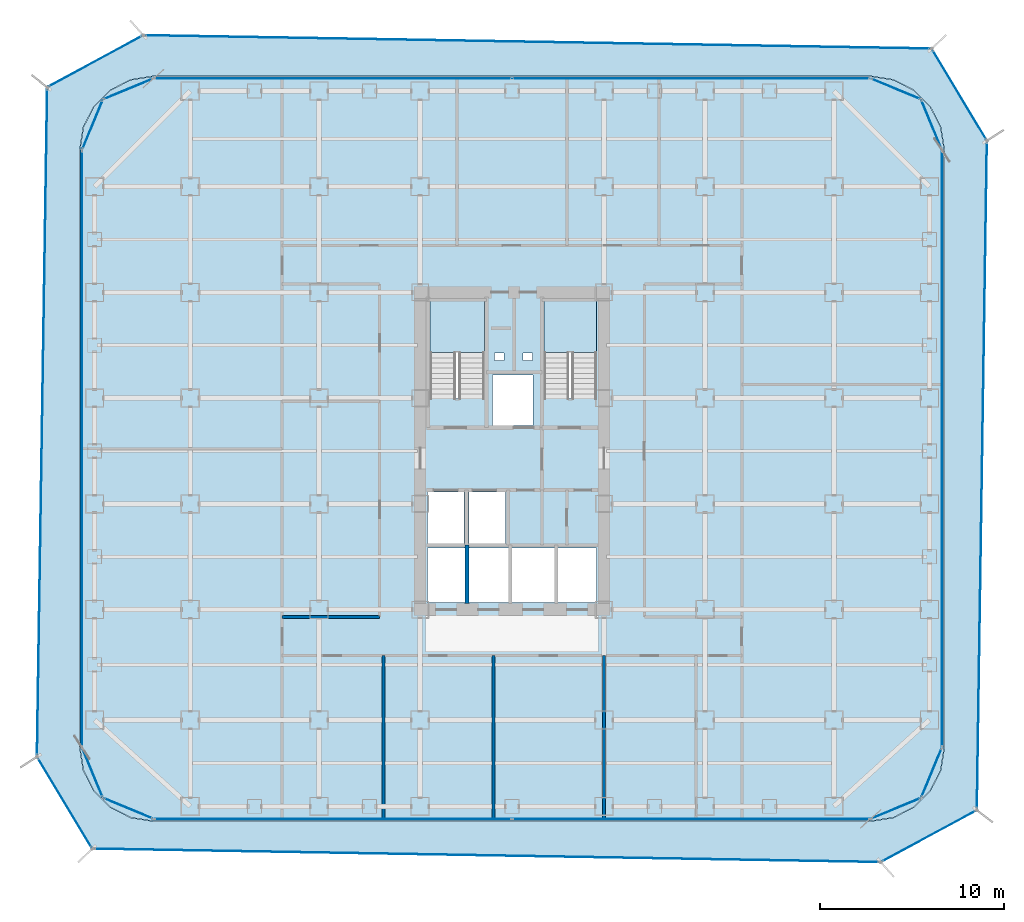
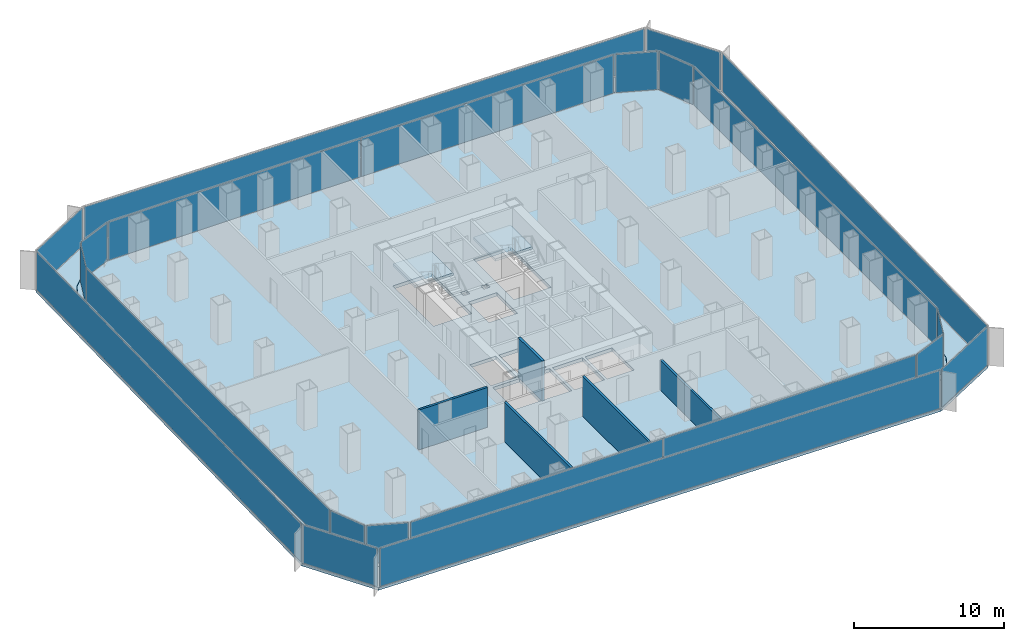
# One storey, part 16 of 22: 22 plates, 5 walls, 4 slabs, 22 elements without a shape of their own.
"""IFC4 building model written with IfcOpenShell, lengths in metres."""

import ifcopenshell
import ifcopenshell.guid

model = None  # the IFC model being written
_history = None  # IfcOwnerHistory: only IFC2X3 demands one
_inside = {}  # id of a spatial element -> (the spatial element, [elements in it])
_under = {}  # id of a project, library or spatial element -> (it, [spatial elements below it])
_declared = {}  # id of a project -> (the project, [libraries it declares])
_typed = {}  # id of a type object -> (the type object, [elements of that type])
_made_of = {}  # id of a material, layer set ... -> (it, [elements and type objects made of it])


def new_model(schema):
    """Start an empty IFC model of exactly this schema.

    Asked for "IFC4X3", IfcOpenShell would pick the latest addendum, in which some entities
    have other attributes; the version numbers below select the first issue.
    IFC2X3 requires an IfcOwnerHistory on every rooted entity: one is made here for all.
    """
    global model, _history
    if schema == "IFC4X3":
        model = ifcopenshell.file(schema_version=(4, 3, 0, 0))
    else:
        model = ifcopenshell.file(schema=schema)
    _inside.clear()
    _under.clear()
    _declared.clear()
    _typed.clear()
    _made_of.clear()
    _history = None
    if model.schema == "IFC2X3":
        org = make("IfcOrganization", Name="unknown")
        user = make(
            "IfcPersonAndOrganization",
            ThePerson=make("IfcPerson", FamilyName="unknown"),
            TheOrganization=org,
        )
        app = make(
            "IfcApplication",
            ApplicationDeveloper=org,
            Version="unknown",
            ApplicationFullName="unknown",
            ApplicationIdentifier="unknown",
        )
        _history = make(
            "IfcOwnerHistory",
            OwningUser=user,
            OwningApplication=app,
            ChangeAction="ADDED",
            CreationDate=0,
        )
    return model


def make(cls, **values):
    """One entity of the class cls with the attributes given. An attribute that is None is left unset."""
    return model.create_entity(
        cls, **{name: value for name, value in values.items() if value is not None}
    )


def rooted(cls, **values):
    """An entity with a GlobalId (a new one), such as an element, a storey or a relation."""
    return make(cls, GlobalId=ifcopenshell.guid.new(), OwnerHistory=_history, **values)


def si_unit(unit_type, name, prefix=None):
    """IfcSIUnit, for example si_unit("LENGTHUNIT", "METRE", prefix="MILLI")."""
    return make("IfcSIUnit", UnitType=unit_type, Prefix=prefix, Name=name)


def assignment(units):
    """IfcUnitAssignment: the units of a project."""
    return None if units is None else make("IfcUnitAssignment", Units=units)


def point(xyz):
    """IfcCartesianPoint."""
    return None if xyz is None else make("IfcCartesianPoint", Coordinates=xyz)


def direction(xyz):
    """IfcDirection."""
    return None if xyz is None else make("IfcDirection", DirectionRatios=xyz)


def frame(location, z_axis=None, x_axis=None):
    """IfcAxis2Placement3D, a coordinate frame: its origin and axes. An axis left out is left unset."""
    return make(
        "IfcAxis2Placement3D",
        Location=point(location),
        Axis=direction(z_axis),
        RefDirection=direction(x_axis),
    )


def frame_2d(location, x_axis=None):
    """IfcAxis2Placement2D, a coordinate frame in the plane: its origin and x axis."""
    return make(
        "IfcAxis2Placement2D", Location=point(location), RefDirection=direction(x_axis)
    )


def origin():
    """The frame at (0, 0, 0) with its axes left unset."""
    return frame((0.0, 0.0, 0.0))


def origin_2d():
    """The frame at (0, 0) in the plane with its x axis left unset."""
    return frame_2d((0.0, 0.0))


def place(relative_to, where):
    """IfcLocalPlacement: puts the frame where relative to a parent placement (None: the world)."""
    return make(
        "IfcLocalPlacement", PlacementRelTo=relative_to, RelativePlacement=where
    )


def context(
    kind, dimensions, precision=None, world=None, true_north=None, identifier=None
):
    """IfcGeometricRepresentationContext, for example the 3D "Model" context."""
    return make(
        "IfcGeometricRepresentationContext",
        ContextIdentifier=identifier,
        ContextType=kind,
        CoordinateSpaceDimension=dimensions,
        Precision=precision,
        WorldCoordinateSystem=world,
        TrueNorth=true_north,
    )


def subcontext(parent, identifier, kind, view, scale=None):
    """IfcGeometricRepresentationSubContext, for example "Body" below "Model"."""
    return make(
        "IfcGeometricRepresentationSubContext",
        ContextIdentifier=identifier,
        ContextType=kind,
        ParentContext=parent,
        TargetScale=scale,
        TargetView=view,
    )


def project(units=None, contexts=None):
    """IfcProject with its units and contexts."""
    return rooted(
        "IfcProject",
        Name="project",
        RepresentationContexts=contexts,
        UnitsInContext=assignment(units),
    )


def spatial(cls, under=None, at=None, **own):
    """A site, building, storey or space (cls), placed at a placement, below another one or the project."""
    s = rooted(cls, ObjectPlacement=at, **own)
    if under is not None:
        _under.setdefault(under.id(), (under, []))[1].append(s)
    return s


def polyline(points):
    """IfcPolyline through the points."""
    return make("IfcPolyline", Points=[point(p) for p in points])


def profile(cls, at=None, kind="AREA", **sizes):
    """A parametric profile (cls). Its sizes go by their IFC names, for example OverallWidth=200.0."""
    return make(cls, ProfileType=kind, Position=at, **sizes)


def rectangle(**sizes):
    """IfcRectangleProfileDef."""
    return profile("IfcRectangleProfileDef", **sizes)


def outline(outer, holes=None, kind="AREA"):
    """IfcArbitraryClosedProfileDef: a profile drawn as a closed curve; with holes, ...WithVoids."""
    if holes is None:
        return make("IfcArbitraryClosedProfileDef", ProfileType=kind, OuterCurve=outer)
    return make(
        "IfcArbitraryProfileDefWithVoids",
        ProfileType=kind,
        OuterCurve=outer,
        InnerCurves=holes,
    )


def extrude(swept, where, along, depth):
    """IfcExtrudedAreaSolid: the profile swept, set in the frame where, extruded along a direction by depth."""
    return make(
        "IfcExtrudedAreaSolid",
        SweptArea=swept,
        Position=where,
        ExtrudedDirection=direction(along),
        Depth=depth,
    )


def shape(context_of_items, identifier, shape_type, items):
    """IfcShapeRepresentation: the items that make up one representation, for example the "Body"."""
    return make(
        "IfcShapeRepresentation",
        ContextOfItems=context_of_items,
        RepresentationIdentifier=identifier,
        RepresentationType=shape_type,
        Items=items,
    )


def source(mapping_origin, context_of_items, identifier, shape_type, items):
    """IfcRepresentationMap: a shape defined once, which mapped items show again and again."""
    return make(
        "IfcRepresentationMap",
        MappingOrigin=mapping_origin,
        MappedRepresentation=shape(context_of_items, identifier, shape_type, items),
    )


def transform(
    local_origin,
    x_axis=None,
    y_axis=None,
    z_axis=None,
    scale=None,
    scale2=None,
    scale3=None,
    uniform=True,
):
    """IfcCartesianTransformationOperator3D, or its non-uniform kind. x_axis, y_axis, z_axis: its Axis1, 2, 3."""
    if uniform:
        return make(
            "IfcCartesianTransformationOperator3D",
            Axis1=direction(x_axis),
            Axis2=direction(y_axis),
            LocalOrigin=point(local_origin),
            Scale=scale,
            Axis3=direction(z_axis),
        )
    return make(
        "IfcCartesianTransformationOperator3DnonUniform",
        Axis1=direction(x_axis),
        Axis2=direction(y_axis),
        LocalOrigin=point(local_origin),
        Scale=scale,
        Axis3=direction(z_axis),
        Scale2=scale2,
        Scale3=scale3,
    )


def mapped(mapping_source, mapping_target):
    """IfcMappedItem: shows the shape of a source again, moved by a transform."""
    return make(
        "IfcMappedItem", MappingSource=mapping_source, MappingTarget=mapping_target
    )


def material(Name=None, Category=None):
    """IfcMaterial."""
    return make("IfcMaterial", Name=Name, Category=Category)


def layer(
    of_material, thickness, ventilated=None, Name=None, Category=None, Priority=None
):
    """IfcMaterialLayer: one layer of a wall or slab, of a material (None: an air gap)."""
    return make(
        "IfcMaterialLayer",
        Material=of_material,
        LayerThickness=thickness,
        IsVentilated=ventilated,
        Name=Name,
        Category=Category,
        Priority=Priority,
    )


def layer_set(layers, Name=None):
    """IfcMaterialLayerSet."""
    return make("IfcMaterialLayerSet", MaterialLayers=layers, LayerSetName=Name)


def made_of(thing, what):
    """Note that an element or type object is made of a material, layer set ...; save() writes the relation."""
    if what is not None:
        _made_of.setdefault(what.id(), (what, []))[1].append(thing)
    return thing


def type_object(cls, material=None, **own):
    """A type object (cls), such as IfcWallType, which elements share."""
    return made_of(rooted(cls, **own), material)


def element(
    cls,
    number,
    at=None,
    inside=None,
    cuts=None,
    type_object=None,
    material=None,
    context=None,
    identifier="Body",
    shape_type=None,
    held_by="IfcProductDefinitionShape",
    body=None,
    shapes=None,
    **own,
):
    """One element of the class cls, such as IfcWall. Its Tag is "e" and its number.

    at: its placement. inside: the storey or other place that contains it. cuts: it is an
    opening in that element (IfcRelVoidsElement). A single representation is given by context,
    identifier, shape_type and body (its items); several are given by shapes. held_by: the class
    of the entity that holds the representations. save() writes the other relations.
    """
    e = rooted(cls, Tag="e%d" % number, ObjectPlacement=at, **own)
    if body is not None:
        shapes = [shape(context, identifier, shape_type, body)]
    if shapes is not None:
        e.Representation = make(held_by, Representations=shapes)
    if inside is not None:
        _inside.setdefault(inside.id(), (inside, []))[1].append(e)
    if cuts is not None:
        rooted(
            "IfcRelVoidsElement", RelatingBuildingElement=cuts, RelatedOpeningElement=e
        )
    if type_object is not None:
        _typed.setdefault(type_object.id(), (type_object, []))[1].append(e)
    return made_of(e, material)


def aggregate(whole, parts):
    """IfcRelAggregates: a whole, such as a stair, and the parts it consists of."""
    return rooted("IfcRelAggregates", RelatingObject=whole, RelatedObjects=parts)


def save(model, path):
    """Write the relations noted so far, then the file.

    IfcRelAggregates (storeys below a building ...), IfcRelContainedInSpatialStructure (elements
    in a storey), IfcRelDefinesByType, IfcRelAssociatesMaterial and IfcRelDeclares: one each for
    every whole, place, type object, material and project.
    """
    for whole, parts in _under.values():
        aggregate(whole, parts)
    for where, things in _inside.values():
        rooted(
            "IfcRelContainedInSpatialStructure",
            RelatedElements=things,
            RelatingStructure=where,
        )
    for kind, things in _typed.values():
        rooted("IfcRelDefinesByType", RelatedObjects=things, RelatingType=kind)
    for what, things in _made_of.values():
        rooted("IfcRelAssociatesMaterial", RelatedObjects=things, RelatingMaterial=what)
    for by, libraries in _declared.values():
        rooted("IfcRelDeclares", RelatingContext=by, RelatedDefinitions=libraries)
    model.write(path)


model = new_model("IFC4")

# Units and contexts
model_context = context("Model", 3, precision=1e-05, world=origin(), true_north=direction((0.0, 1.0)))
body_context = subcontext(model_context, "Body", "Model", "MODEL_VIEW")
ifc_project = project(units=[si_unit("LENGTHUNIT", "METRE"), si_unit("AREAUNIT", "SQUARE_METRE"), si_unit("VOLUMEUNIT", "CUBIC_METRE"), si_unit("PLANEANGLEUNIT", "RADIAN"), si_unit("MASSUNIT", "GRAM", prefix="KILO")], contexts=[model_context])

# Site, building, storey
site_placement = place(None, origin())
site = spatial("IfcSite", under=ifc_project, at=site_placement, CompositionType="ELEMENT")
building_placement = place(site_placement, origin())
building = spatial("IfcBuilding", under=site, at=building_placement, Name="Kolveth Station Tower", CompositionType="ELEMENT")
storey_placement = place(building_placement, frame((0.0, 0.0, 72.89990234375)))
storey = spatial("IfcBuildingStorey", under=building, at=storey_placement, Name="L19", CompositionType="ELEMENT", Elevation=72.89990234375)

# Slab
ifc_material_1 = material(Name="Concrete C45/55", Category="concrete")
ifc_layer_1 = layer(ifc_material_1, 0.280029296875)
ifc_layer_set_1 = layer_set([ifc_layer_1], Name="Concrete C45/55")
slab_type_1 = type_object("IfcSlabType", Name="Slab_SF-280", PredefinedType="FLOOR", material=ifc_layer_set_1)
slab_1_placement = place(storey_placement, frame((0.0, 0.0, -0.27978515625)))
element("IfcSlab", 1, at=slab_1_placement, inside=storey, type_object=slab_type_1, Name="L19 Tower Structural Floor Slab", PredefinedType="FLOOR", context=body_context, shape_type="SweptSolid", body=[
    extrude(outline(polyline([(43.0, 0.0), (44.236083984375, 0.19580078125), (45.35107421875, 0.763916015625), (46.236083984375, 1.64892578125), (46.80419921875, 2.763916015625), (47.0, 4.0), (47.0, 36.5), (46.80419921875, 37.736083984375), (46.236083984375, 38.85107421875), (45.35107421875, 39.736083984375), (44.236083984375, 40.30419921875), (43.0, 40.5), (4.0, 40.5), (2.763916015625, 40.30419921875), (1.64892578125, 39.736083984375), (0.763916015625, 38.85107421875), (0.19580078125, 37.736083984375), (0.0, 36.5), (0.0, 4.0), (0.19580078125, 2.763916015625), (0.763916015625, 1.64892578125), (1.64892578125, 0.763916015625), (2.763916015625, 0.19580078125), (4.0, 0.0), (43.0, 0.0)]), holes=[polyline([(19.0400390625, 22.985107421875), (22.0, 22.985107421875), (22.0, 28.39990234375), (19.0400390625, 28.39990234375), (19.0400390625, 22.985107421875)]), polyline([(25.239990234375, 22.985107421875), (28.10009765625, 22.985107421875), (28.10009765625, 28.39990234375), (25.239990234375, 28.39990234375), (25.239990234375, 22.985107421875)]), polyline([(18.89990234375, 15.10009765625), (20.89990234375, 15.10009765625), (20.89990234375, 17.89990234375), (18.89990234375, 17.89990234375), (18.89990234375, 15.10009765625)]), polyline([(21.14990234375, 15.10009765625), (23.14990234375, 15.10009765625), (23.14990234375, 17.89990234375), (21.14990234375, 17.89990234375), (21.14990234375, 15.10009765625)]), polyline([(22.449951171875, 21.5), (24.64990234375, 21.5), (24.64990234375, 24.25), (22.449951171875, 24.25), (22.449951171875, 21.5)]), polyline([(18.89990234375, 11.89990234375), (20.949951171875, 11.89990234375), (20.949951171875, 14.85009765625), (18.89990234375, 14.85009765625), (18.89990234375, 11.89990234375)]), polyline([(21.14990234375, 11.89990234375), (23.300048828125, 11.89990234375), (23.300048828125, 14.85009765625), (21.14990234375, 14.85009765625), (21.14990234375, 11.89990234375)]), polyline([(23.5, 11.89990234375), (25.800048828125, 11.89990234375), (25.800048828125, 14.85009765625), (23.5, 14.85009765625), (23.5, 11.89990234375)]), polyline([(26.0, 11.89990234375), (28.10009765625, 11.89990234375), (28.10009765625, 14.85009765625), (26.0, 14.85009765625), (26.0, 11.89990234375)]), polyline([(22.550048828125, 25.050048828125), (23.050048828125, 25.050048828125), (23.050048828125, 25.449951171875), (22.550048828125, 25.449951171875), (22.550048828125, 25.050048828125)]), polyline([(24.10009765625, 25.050048828125), (24.60009765625, 25.050048828125), (24.60009765625, 25.449951171875), (24.10009765625, 25.449951171875), (24.10009765625, 25.050048828125)])]), origin(), (0.0, 0.0, 1.0), 0.27978515625),
])

# Stair, slab
ifc_material_2 = material(Name="Concrete C40/50", Category="concrete")
stair_type_1 = type_object("IfcStairType", Name="Stair_ST2", PredefinedType="HALF_TURN_STAIR", material=ifc_material_2)
stair_1_placement = place(storey_placement, origin())
stair_1 = element("IfcStair", 2, at=stair_1_placement, inside=storey, type_object=stair_type_1, Name="L19 Tower Exit Stair ST2", PredefinedType="HALF_TURN_STAIR")
ifc_layer_2 = layer(ifc_material_2, 0.18994140625)
ifc_layer_set_2 = layer_set([ifc_layer_2], Name="Concrete C40/50")
slab_type_2 = type_object("IfcSlabType", Name="Slab_SL-190", PredefinedType="LANDING", material=ifc_layer_set_2)
slab_2_placement = place(storey_placement, frame((0.0, 0.0, 1.60009765625)))
slab_2 = element("IfcSlab", 3, at=slab_2_placement, type_object=slab_type_2, Name="ST2 landing 1", PredefinedType="LANDING", context=body_context, shape_type="SweptSolid", body=[
    extrude(outline(polyline([(28.10009765625, 25.469970703125), (28.10009765625, 28.39990234375), (25.239990234375, 28.39990234375), (25.239990234375, 25.469970703125), (28.10009765625, 25.469970703125)])), origin(), (0.0, 0.0, 1.0), 0.199951171875),
])
aggregate(stair_1, [slab_2])

stair_type_2 = type_object("IfcStairType", Name="Stair_ST1", PredefinedType="HALF_TURN_STAIR", material=ifc_material_2)
stair_2_placement = place(storey_placement, origin())
stair_2 = element("IfcStair", 4, at=stair_2_placement, inside=storey, type_object=stair_type_2, Name="L19 Tower Exit Stair ST1", PredefinedType="HALF_TURN_STAIR")
ifc_layer_3 = layer(ifc_material_2, 0.205078125)
ifc_layer_set_3 = layer_set([ifc_layer_3], Name="Concrete C40/50")
slab_type_3 = type_object("IfcSlabType", Name="Slab_SL-205", PredefinedType="LANDING", material=ifc_layer_set_3)
slab_3_placement = place(storey_placement, frame((0.0, 0.0, 1.60009765625)))
slab_3 = element("IfcSlab", 5, at=slab_3_placement, type_object=slab_type_3, Name="ST1 landing 1", PredefinedType="LANDING", context=body_context, shape_type="SweptSolid", body=[
    extrude(outline(polyline([(22.0, 25.469970703125), (22.0, 28.39990234375), (19.0400390625, 28.39990234375), (19.0400390625, 25.469970703125), (22.0, 25.469970703125)])), origin(), (0.0, 0.0, 1.0), 0.199951171875),
])
aggregate(stair_2, [slab_3])

# Slab
ifc_layer_4 = layer(ifc_material_2, 0.2099609375)
ifc_layer_set_4 = layer_set([ifc_layer_4], Name="Concrete C40/50")
slab_type_4 = type_object("IfcSlabType", Name="Slab_ST-210", PredefinedType="FLOOR", material=ifc_layer_set_4)
slab_4_placement = place(storey_placement, frame((0.0, 0.0, -0.2099609375)))
element("IfcSlab", 6, at=slab_4_placement, inside=storey, type_object=slab_type_4, Name="L19 Double-Skin Cavity Structural Ledger Ring", PredefinedType="FLOOR", context=body_context, shape_type="SweptSolid", body=[
    extrude(outline(polyline([(0.6767578125, -1.502685546875), (-2.331298828125, 3.497802734375), (-1.77490234375, 39.9052734375), (3.450927734375, 42.730712890625), (46.3251953125, 42.006103515625), (49.32666015625, 37.00146484375), (48.781494140625, 0.591064453125), (43.54931640625, -2.23291015625), (0.6767578125, -1.502685546875)]), holes=[polyline([(43.002197265625, -0.014892578125), (44.23828125, 0.180908203125), (44.242919921875, 0.182373046875), (45.35791015625, 0.75048828125), (45.36181640625, 0.75341796875), (46.24658203125, 1.63818359375), (46.24951171875, 1.64208984375), (46.817626953125, 2.757080078125), (46.819091796875, 2.76171875), (47.014892578125, 3.997802734375), (47.014892578125, 4.0), (47.014892578125, 36.5), (47.014892578125, 36.502197265625), (46.819091796875, 37.73828125), (46.817626953125, 37.742919921875), (46.24951171875, 38.85791015625), (46.24658203125, 38.86181640625), (45.36181640625, 39.74658203125), (45.35791015625, 39.74951171875), (44.242919921875, 40.317626953125), (44.23828125, 40.319091796875), (43.002197265625, 40.514892578125), (43.0, 40.514892578125), (4.0, 40.514892578125), (3.997802734375, 40.514892578125), (2.76171875, 40.319091796875), (2.757080078125, 40.317626953125), (1.64208984375, 39.74951171875), (1.63818359375, 39.74658203125), (0.75341796875, 38.86181640625), (0.75048828125, 38.85791015625), (0.182373046875, 37.742919921875), (0.180908203125, 37.73828125), (-0.014892578125, 36.502197265625), (-0.014892578125, 36.5), (-0.014892578125, 4.0), (-0.014892578125, 3.997802734375), (0.180908203125, 2.76171875), (0.182373046875, 2.757080078125), (0.75048828125, 1.64208984375), (0.75341796875, 1.63818359375), (1.63818359375, 0.75341796875), (1.64208984375, 0.75048828125), (2.757080078125, 0.182373046875), (2.76171875, 0.180908203125), (3.997802734375, -0.014892578125), (4.0, -0.014892578125), (43.0, -0.014892578125), (43.002197265625, -0.014892578125)])]), origin(), (0.0, 0.0, 1.0), 0.2099609375),
])

# Curtain wall, plate
ifc_material_3 = material(Name="Aluminium 6063-T6 and low-E dark glass", Category="aluminium")
ifc_layer_5 = layer(ifc_material_3, 0.179931640625)
ifc_layer_set_5 = layer_set([ifc_layer_5], Name="Aluminium 6063-T6 and low-E dark glass")
curtain_wall_type_1 = type_object("IfcCurtainWallType", Name="CurtainWall_CW-Z1", PredefinedType="NOTDEFINED", material=ifc_layer_set_5)
curtain_wall_1_placement = place(storey_placement, origin())
curtain_wall_1 = element("IfcCurtainWall", 7, at=curtain_wall_1_placement, inside=storey, type_object=curtain_wall_type_1, Name="L19 Inner Thermal Curtain Wall 1", PredefinedType="NOTDEFINED")
ifc_material_4 = material(Name="Architectural low-E dark glass", Category="glass")
ifc_layer_6 = layer(ifc_material_4, 0.035888671875)
ifc_layer_set_6 = layer_set([ifc_layer_6], Name="Architectural low-E dark glass")
plate_type_1 = type_object("IfcPlateType", Name="Panel_GL1", PredefinedType="CURTAIN_PANEL", material=ifc_layer_set_6)
shared_shape_1 = source(origin(), body_context, "Body", "SweptSolid", [
    extrude(rectangle(XDim=2.83349609375, YDim=0.035888671875, at=origin_2d()), origin(), (0.0, 0.0, 1.0), 3.10400390625),
])
plate_1_placement = place(storey_placement, frame((44.371826171875, 0.688232421875, 0.068115234375), z_axis=(0.0, 0.0, 1.0), x_axis=(0.923883857728, 0.382672990201, 0.0)))
plate_1 = element("IfcPlate", 8, at=plate_1_placement, type_object=plate_type_1, Name="CW-Z1 panel 1.1", PredefinedType="CURTAIN_PANEL", context=body_context, shape_type="MappedRepresentation", body=[
    mapped(shared_shape_1, transform((0.0, 0.0, 0.0), x_axis=(1.0, 0.0, 0.0), y_axis=(0.0, 1.0, 0.0), z_axis=(0.0, 0.0, 1.0), scale=1.0)),
])
aggregate(curtain_wall_1, [plate_1])

curtain_wall_2_placement = place(storey_placement, origin())
curtain_wall_2 = element("IfcCurtainWall", 9, at=curtain_wall_2_placement, inside=storey, type_object=curtain_wall_type_1, Name="L19 Inner Thermal Curtain Wall 2", PredefinedType="NOTDEFINED")
plate_2_placement = place(storey_placement, frame((46.311767578125, 2.628173828125, 0.068115234375), z_axis=(0.0, 0.0, 1.0), x_axis=(0.382672990201, 0.923883857728, 0.0)))
plate_2 = element("IfcPlate", 10, at=plate_2_placement, type_object=plate_type_1, Name="CW-Z1 panel 1.1", PredefinedType="CURTAIN_PANEL", context=body_context, shape_type="MappedRepresentation", body=[
    mapped(shared_shape_1, transform((0.0, 0.0, 0.0), x_axis=(1.0, 0.0, 0.0), y_axis=(0.0, 1.0, 0.0), z_axis=(0.0, 0.0, 1.0), scale=1.0)),
])
aggregate(curtain_wall_2, [plate_2])

curtain_wall_3_placement = place(storey_placement, origin())
curtain_wall_3 = element("IfcCurtainWall", 11, at=curtain_wall_3_placement, inside=storey, type_object=curtain_wall_type_1, Name="L19 Inner Thermal Curtain Wall 4", PredefinedType="NOTDEFINED")
plate_3_placement = place(storey_placement, frame((46.311767578125, 37.871826171875, 0.068115234375), z_axis=(0.0, 0.0, 1.0), x_axis=(-0.382672990201, 0.923883857728, 0.0)))
plate_3 = element("IfcPlate", 12, at=plate_3_placement, type_object=plate_type_1, Name="CW-Z1 panel 1.1", PredefinedType="CURTAIN_PANEL", context=body_context, shape_type="MappedRepresentation", body=[
    mapped(shared_shape_1, transform((0.0, 0.0, 0.0), x_axis=(1.0, 0.0, 0.0), y_axis=(0.0, 1.0, 0.0), z_axis=(0.0, 0.0, 1.0), scale=1.0)),
])
aggregate(curtain_wall_3, [plate_3])

curtain_wall_4_placement = place(storey_placement, origin())
curtain_wall_4 = element("IfcCurtainWall", 13, at=curtain_wall_4_placement, inside=storey, type_object=curtain_wall_type_1, Name="L19 Inner Thermal Curtain Wall 5", PredefinedType="NOTDEFINED")
plate_4_placement = place(storey_placement, frame((44.371826171875, 39.811767578125, 0.068115234375), z_axis=(0.0, 0.0, 1.0), x_axis=(-0.923883857728, 0.382672990201, 0.0)))
plate_4 = element("IfcPlate", 14, at=plate_4_placement, type_object=plate_type_1, Name="CW-Z1 panel 1.1", PredefinedType="CURTAIN_PANEL", context=body_context, shape_type="MappedRepresentation", body=[
    mapped(shared_shape_1, transform((0.0, 0.0, 0.0), x_axis=(1.0, 0.0, 0.0), y_axis=(0.0, 1.0, 0.0), z_axis=(0.0, 0.0, 1.0), scale=1.0)),
])
aggregate(curtain_wall_4, [plate_4])

curtain_wall_5_placement = place(storey_placement, origin())
curtain_wall_5 = element("IfcCurtainWall", 15, at=curtain_wall_5_placement, inside=storey, type_object=curtain_wall_type_1, Name="L19 Inner Thermal Curtain Wall 7", PredefinedType="NOTDEFINED")
plate_5_placement = place(storey_placement, frame((2.628173828125, 39.811767578125, 0.068115234375), z_axis=(0.0, 0.0, 1.0), x_axis=(-0.923883857728, -0.382672990201, 0.0)))
plate_5 = element("IfcPlate", 16, at=plate_5_placement, type_object=plate_type_1, Name="CW-Z1 panel 1.1", PredefinedType="CURTAIN_PANEL", context=body_context, shape_type="MappedRepresentation", body=[
    mapped(shared_shape_1, transform((0.0, 0.0, 0.0), x_axis=(1.0, 0.0, 0.0), y_axis=(0.0, 1.0, 0.0), z_axis=(0.0, 0.0, 1.0), scale=1.0)),
])
aggregate(curtain_wall_5, [plate_5])

curtain_wall_6_placement = place(storey_placement, origin())
curtain_wall_6 = element("IfcCurtainWall", 17, at=curtain_wall_6_placement, inside=storey, type_object=curtain_wall_type_1, Name="L19 Inner Thermal Curtain Wall 8", PredefinedType="NOTDEFINED")
plate_6_placement = place(storey_placement, frame((0.688232421875, 37.871826171875, 0.068115234375), z_axis=(0.0, 0.0, 1.0), x_axis=(-0.382672990201, -0.923883857728, 0.0)))
plate_6 = element("IfcPlate", 18, at=plate_6_placement, type_object=plate_type_1, Name="CW-Z1 panel 1.1", PredefinedType="CURTAIN_PANEL", context=body_context, shape_type="MappedRepresentation", body=[
    mapped(shared_shape_1, transform((0.0, 0.0, 0.0), x_axis=(1.0, 0.0, 0.0), y_axis=(0.0, 1.0, 0.0), z_axis=(0.0, 0.0, 1.0), scale=1.0)),
])
aggregate(curtain_wall_6, [plate_6])

curtain_wall_7_placement = place(storey_placement, origin())
curtain_wall_7 = element("IfcCurtainWall", 19, at=curtain_wall_7_placement, inside=storey, type_object=curtain_wall_type_1, Name="L19 Inner Thermal Curtain Wall 10", PredefinedType="NOTDEFINED")
plate_7_placement = place(storey_placement, frame((0.688232421875, 2.628173828125, 0.068115234375), z_axis=(0.0, 0.0, 1.0), x_axis=(0.382672990201, -0.923883857728, 0.0)))
plate_7 = element("IfcPlate", 20, at=plate_7_placement, type_object=plate_type_1, Name="CW-Z1 panel 1.1", PredefinedType="CURTAIN_PANEL", context=body_context, shape_type="MappedRepresentation", body=[
    mapped(shared_shape_1, transform((0.0, 0.0, 0.0), x_axis=(1.0, 0.0, 0.0), y_axis=(0.0, 1.0, 0.0), z_axis=(0.0, 0.0, 1.0), scale=1.0)),
])
aggregate(curtain_wall_7, [plate_7])

curtain_wall_8_placement = place(storey_placement, origin())
curtain_wall_8 = element("IfcCurtainWall", 21, at=curtain_wall_8_placement, inside=storey, type_object=curtain_wall_type_1, Name="L19 Inner Thermal Curtain Wall 11", PredefinedType="NOTDEFINED")
plate_8_placement = place(storey_placement, frame((2.628173828125, 0.688232421875, 0.068115234375), z_axis=(0.0, 0.0, 1.0), x_axis=(0.923883857728, -0.382672990201, 0.0)))
plate_8 = element("IfcPlate", 22, at=plate_8_placement, type_object=plate_type_1, Name="CW-Z1 panel 1.1", PredefinedType="CURTAIN_PANEL", context=body_context, shape_type="MappedRepresentation", body=[
    mapped(shared_shape_1, transform((0.0, 0.0, 0.0), x_axis=(1.0, 0.0, 0.0), y_axis=(0.0, 1.0, 0.0), z_axis=(0.0, 0.0, 1.0), scale=1.0)),
])
aggregate(curtain_wall_8, [plate_8])

curtain_wall_9_placement = place(storey_placement, origin())
curtain_wall_9 = element("IfcCurtainWall", 23, at=curtain_wall_9_placement, inside=storey, type_object=curtain_wall_type_1, Name="L19 Inner Thermal Curtain Wall 3", PredefinedType="NOTDEFINED")
shared_shape_2 = source(origin(), body_context, "Body", "SweptSolid", [
    extrude(rectangle(XDim=32.364013671875, YDim=0.035888671875, at=origin_2d()), origin(), (0.0, 0.0, 1.0), 3.10400390625),
])
plate_9_placement = place(storey_placement, frame((46.8798828125, 20.25, 0.068115234375), z_axis=(0.0, 0.0, 1.0), x_axis=(0.0, 1.0, 0.0)))
plate_9 = element("IfcPlate", 24, at=plate_9_placement, type_object=plate_type_1, Name="CW-Z1 panel 1.1", PredefinedType="CURTAIN_PANEL", context=body_context, shape_type="MappedRepresentation", body=[
    mapped(shared_shape_2, transform((0.0, 0.0, 0.0), x_axis=(1.0, 0.0, 0.0), y_axis=(0.0, 1.0, 0.0), z_axis=(0.0, 0.0, 1.0), scale=1.0)),
])
aggregate(curtain_wall_9, [plate_9])

curtain_wall_10_placement = place(storey_placement, origin())
curtain_wall_10 = element("IfcCurtainWall", 25, at=curtain_wall_10_placement, inside=storey, type_object=curtain_wall_type_1, Name="L19 Inner Thermal Curtain Wall 9", PredefinedType="NOTDEFINED")
plate_10_placement = place(storey_placement, frame((0.1201171875, 20.25, 0.068115234375), z_axis=(0.0, 0.0, 1.0), x_axis=(0.0, -1.0, 0.0)))
plate_10 = element("IfcPlate", 26, at=plate_10_placement, type_object=plate_type_1, Name="CW-Z1 panel 1.1", PredefinedType="CURTAIN_PANEL", context=body_context, shape_type="MappedRepresentation", body=[
    mapped(shared_shape_2, transform((0.0, 0.0, 0.0), x_axis=(1.0, 0.0, 0.0), y_axis=(0.0, 1.0, 0.0), z_axis=(0.0, 0.0, 1.0), scale=1.0)),
])
aggregate(curtain_wall_10, [plate_10])

# Curtain wall, plates
curtain_wall_11_placement = place(storey_placement, origin())
curtain_wall_11 = element("IfcCurtainWall", 27, at=curtain_wall_11_placement, inside=storey, type_object=curtain_wall_type_1, Name="L19 Inner Thermal Curtain Wall 6", PredefinedType="NOTDEFINED")
shared_shape_3 = source(origin(), body_context, "Body", "SweptSolid", [
    extrude(rectangle(XDim=19.401611328125, YDim=0.035888671875, at=origin_2d()), origin(), (0.0, 0.0, 1.0), 3.10400390625),
])
plate_11_placement = place(storey_placement, frame((33.231201171875, 40.3798828125, 0.068115234375), z_axis=(0.0, 0.0, 1.0), x_axis=(-1.0, 0.0, 0.0)))
plate_11 = element("IfcPlate", 28, at=plate_11_placement, type_object=plate_type_1, Name="CW-Z1 panel 1.1", PredefinedType="CURTAIN_PANEL", context=body_context, shape_type="MappedRepresentation", body=[
    mapped(shared_shape_3, transform((0.0, 0.0, 0.0), x_axis=(1.0, 0.0, 0.0), y_axis=(0.0, 1.0, 0.0), z_axis=(0.0, 0.0, 1.0), scale=1.0)),
])
plate_12_placement = place(storey_placement, frame((13.768798828125, 40.3798828125, 0.068115234375), z_axis=(0.0, 0.0, 1.0), x_axis=(-1.0, 0.0, 0.0)))
plate_12 = element("IfcPlate", 29, at=plate_12_placement, type_object=plate_type_1, Name="CW-Z1 panel 2.1", PredefinedType="CURTAIN_PANEL", context=body_context, shape_type="MappedRepresentation", body=[
    mapped(shared_shape_3, transform((0.0, 0.0, 0.0), x_axis=(1.0, 0.0, 0.0), y_axis=(0.0, 1.0, 0.0), z_axis=(0.0, 0.0, 1.0), scale=1.0)),
])
aggregate(curtain_wall_11, [plate_11, plate_12])

curtain_wall_12_placement = place(storey_placement, origin())
curtain_wall_12 = element("IfcCurtainWall", 30, at=curtain_wall_12_placement, inside=storey, type_object=curtain_wall_type_1, Name="L19 Inner Thermal Curtain Wall 12", PredefinedType="NOTDEFINED")
plate_13_placement = place(storey_placement, frame((13.768798828125, 0.1201171875, 0.068115234375), z_axis=(0.0, 0.0, 1.0), x_axis=(1.0, 0.0, 0.0)))
plate_13 = element("IfcPlate", 31, at=plate_13_placement, type_object=plate_type_1, Name="CW-Z1 panel 1.1", PredefinedType="CURTAIN_PANEL", context=body_context, shape_type="MappedRepresentation", body=[
    mapped(shared_shape_3, transform((0.0, 0.0, 0.0), x_axis=(1.0, 0.0, 0.0), y_axis=(0.0, 1.0, 0.0), z_axis=(0.0, 0.0, 1.0), scale=1.0)),
])
plate_14_placement = place(storey_placement, frame((33.231201171875, 0.1201171875, 0.068115234375), z_axis=(0.0, 0.0, 1.0), x_axis=(1.0, 0.0, 0.0)))
plate_14 = element("IfcPlate", 32, at=plate_14_placement, type_object=plate_type_1, Name="CW-Z1 panel 2.1", PredefinedType="CURTAIN_PANEL", context=body_context, shape_type="MappedRepresentation", body=[
    mapped(shared_shape_3, transform((0.0, 0.0, 0.0), x_axis=(1.0, 0.0, 0.0), y_axis=(0.0, 1.0, 0.0), z_axis=(0.0, 0.0, 1.0), scale=1.0)),
])
aggregate(curtain_wall_12, [plate_13, plate_14])

# Curtain wall, plate
ifc_material_5 = material(Name="Black anodized aluminium 6063-T6 and dark solar glass", Category="aluminium")
ifc_layer_7 = layer(ifc_material_5, 0.159912109375)
ifc_layer_set_7 = layer_set([ifc_layer_7], Name="Black anodized aluminium 6063-T6 and dark solar glass")
curtain_wall_type_2 = type_object("IfcCurtainWallType", Name="OUTER SKIN CW-OS", PredefinedType="NOTDEFINED", material=ifc_layer_set_7)
curtain_wall_13_placement = place(storey_placement, origin())
curtain_wall_13 = element("IfcCurtainWall", 33, at=curtain_wall_13_placement, inside=storey, type_object=curtain_wall_type_2, Name="L19 Outer Ventilated Skin Curtain Wall 1", PredefinedType="NOTDEFINED")
ifc_layer_8 = layer(ifc_material_4, 0.028076171875)
ifc_layer_set_8 = layer_set([ifc_layer_8], Name="Architectural low-E dark glass")
plate_type_2 = type_object("IfcPlateType", Name="Panel_GL-OS", PredefinedType="CURTAIN_PANEL", material=ifc_layer_set_8)
shared_shape_4 = source(origin(), body_context, "Body", "SweptSolid", [
    extrude(rectangle(XDim=5.779541015625, YDim=0.028076171875, at=origin_2d()), origin(), (0.0, 0.0, 1.0), 3.093994140625),
])
plate_15_placement = place(storey_placement, frame((46.165283203125, -0.821044921875, 0.0732421875), z_axis=(0.0, 0.0, 1.0), x_axis=(0.879999185896, 0.474975191796, 0.0)))
plate_15 = element("IfcPlate", 34, at=plate_15_placement, type_object=plate_type_2, Name="CW-OS panel 1.1", PredefinedType="CURTAIN_PANEL", context=body_context, shape_type="MappedRepresentation", body=[
    mapped(shared_shape_4, transform((0.0, 0.0, 0.0), x_axis=(1.0, 0.0, 0.0), y_axis=(0.0, 1.0, 0.0), z_axis=(0.0, 0.0, 1.0), scale=1.0)),
])
aggregate(curtain_wall_13, [plate_15])

curtain_wall_14_placement = place(storey_placement, origin())
curtain_wall_14 = element("IfcCurtainWall", 35, at=curtain_wall_14_placement, inside=storey, type_object=curtain_wall_type_2, Name="L19 Outer Ventilated Skin Curtain Wall 2", PredefinedType="NOTDEFINED")
shared_shape_5 = source(origin(), body_context, "Body", "SweptSolid", [
    extrude(rectangle(XDim=36.24853515625, YDim=0.028076171875, at=origin_2d()), origin(), (0.0, 0.0, 1.0), 3.093994140625),
])
plate_16_placement = place(storey_placement, frame((49.053955078125, 18.796142578125, 0.0732421875), z_axis=(0.0, 0.0, 1.0), x_axis=(0.014974769827, 0.999887871848, 0.0)))
plate_16 = element("IfcPlate", 36, at=plate_16_placement, type_object=plate_type_2, Name="CW-OS panel 1.1", PredefinedType="CURTAIN_PANEL", context=body_context, shape_type="MappedRepresentation", body=[
    mapped(shared_shape_5, transform((0.0, 0.0, 0.0), x_axis=(1.0, 0.0, 0.0), y_axis=(0.0, 1.0, 0.0), z_axis=(0.0, 0.0, 1.0), scale=1.0)),
])
aggregate(curtain_wall_14, [plate_16])

curtain_wall_15_placement = place(storey_placement, origin())
curtain_wall_15 = element("IfcCurtainWall", 37, at=curtain_wall_15_placement, inside=storey, type_object=curtain_wall_type_2, Name="L19 Outer Ventilated Skin Curtain Wall 3", PredefinedType="NOTDEFINED")
shared_shape_6 = source(origin(), body_context, "Body", "SweptSolid", [
    extrude(rectangle(XDim=5.66943359375, YDim=0.028076171875, at=origin_2d()), origin(), (0.0, 0.0, 1.0), 3.093994140625),
])
plate_17_placement = place(storey_placement, frame((47.825927734375, 39.503662109375, 0.0732421875), z_axis=(0.0, 0.0, 1.0), x_axis=(-0.514331942201, 0.857591192371, 0.0)))
plate_17 = element("IfcPlate", 38, at=plate_17_placement, type_object=plate_type_2, Name="CW-OS panel 1.1", PredefinedType="CURTAIN_PANEL", context=body_context, shape_type="MappedRepresentation", body=[
    mapped(shared_shape_6, transform((0.0, 0.0, 0.0), x_axis=(1.0, 0.0, 0.0), y_axis=(0.0, 1.0, 0.0), z_axis=(0.0, 0.0, 1.0), scale=1.0)),
])
aggregate(curtain_wall_15, [plate_17])

curtain_wall_16_placement = place(storey_placement, origin())
curtain_wall_16 = element("IfcCurtainWall", 39, at=curtain_wall_16_placement, inside=storey, type_object=curtain_wall_type_2, Name="L19 Outer Ventilated Skin Curtain Wall 4", PredefinedType="NOTDEFINED")
shared_shape_7 = source(origin(), body_context, "Body", "SweptSolid", [
    extrude(rectangle(XDim=42.71435546875, YDim=0.028076171875, at=origin_2d()), origin(), (0.0, 0.0, 1.0), 3.093994140625),
])
plate_18_placement = place(storey_placement, frame((24.88818359375, 42.368408203125, 0.0732421875), z_axis=(0.0, 0.0, 1.0), x_axis=(-0.999857137181, 0.016902817147, 0.0)))
plate_18 = element("IfcPlate", 40, at=plate_18_placement, type_object=plate_type_2, Name="CW-OS panel 1.1", PredefinedType="CURTAIN_PANEL", context=body_context, shape_type="MappedRepresentation", body=[
    mapped(shared_shape_7, transform((0.0, 0.0, 0.0), x_axis=(1.0, 0.0, 0.0), y_axis=(0.0, 1.0, 0.0), z_axis=(0.0, 0.0, 1.0), scale=1.0)),
])
aggregate(curtain_wall_16, [plate_18])

curtain_wall_17_placement = place(storey_placement, origin())
curtain_wall_17 = element("IfcCurtainWall", 41, at=curtain_wall_17_placement, inside=storey, type_object=curtain_wall_type_2, Name="L19 Outer Ventilated Skin Curtain Wall 5", PredefinedType="NOTDEFINED")
shared_shape_8 = source(origin(), body_context, "Body", "SweptSolid", [
    extrude(rectangle(XDim=5.77490234375, YDim=0.028076171875, at=origin_2d()), origin(), (0.0, 0.0, 1.0), 3.093994140625),
])
plate_19_placement = place(storey_placement, frame((0.838134765625, 41.318115234375, 0.0732421875), z_axis=(0.0, 0.0, 1.0), x_axis=(-0.879657980695, -0.475606809245, 0.0)))
plate_19 = element("IfcPlate", 42, at=plate_19_placement, type_object=plate_type_2, Name="CW-OS panel 1.1", PredefinedType="CURTAIN_PANEL", context=body_context, shape_type="MappedRepresentation", body=[
    mapped(shared_shape_8, transform((0.0, 0.0, 0.0), x_axis=(1.0, 0.0, 0.0), y_axis=(0.0, 1.0, 0.0), z_axis=(0.0, 0.0, 1.0), scale=1.0)),
])
aggregate(curtain_wall_17, [plate_19])

curtain_wall_18_placement = place(storey_placement, origin())
curtain_wall_18 = element("IfcCurtainWall", 43, at=curtain_wall_18_placement, inside=storey, type_object=curtain_wall_type_2, Name="L19 Outer Ventilated Skin Curtain Wall 6", PredefinedType="NOTDEFINED")
shared_shape_9 = source(origin(), body_context, "Body", "SweptSolid", [
    extrude(rectangle(XDim=36.24560546875, YDim=0.028076171875, at=origin_2d()), origin(), (0.0, 0.0, 1.0), 3.093994140625),
])
plate_20_placement = place(storey_placement, frame((-2.05322265625, 21.70166015625, 0.0732421875), z_axis=(0.0, 0.0, 1.0), x_axis=(-0.015283568744, -0.999883199442, 0.0)))
plate_20 = element("IfcPlate", 44, at=plate_20_placement, type_object=plate_type_2, Name="CW-OS panel 1.1", PredefinedType="CURTAIN_PANEL", context=body_context, shape_type="MappedRepresentation", body=[
    mapped(shared_shape_9, transform((0.0, 0.0, 0.0), x_axis=(1.0, 0.0, 0.0), y_axis=(0.0, 1.0, 0.0), z_axis=(0.0, 0.0, 1.0), scale=1.0)),
])
aggregate(curtain_wall_18, [plate_20])

curtain_wall_19_placement = place(storey_placement, origin())
curtain_wall_19 = element("IfcCurtainWall", 45, at=curtain_wall_19_placement, inside=storey, type_object=curtain_wall_type_2, Name="L19 Outer Ventilated Skin Curtain Wall 7", PredefinedType="NOTDEFINED")
shared_shape_10 = source(origin(), body_context, "Body", "SweptSolid", [
    extrude(rectangle(XDim=5.669677734375, YDim=0.028076171875, at=origin_2d()), origin(), (0.0, 0.0, 1.0), 3.093994140625),
])
plate_21_placement = place(storey_placement, frame((-0.827392578125, 0.99755859375, 0.0732421875), z_axis=(0.0, 0.0, 1.0), x_axis=(0.515478236969, -0.856902670792, 0.0)))
plate_21 = element("IfcPlate", 46, at=plate_21_placement, type_object=plate_type_2, Name="CW-OS panel 1.1", PredefinedType="CURTAIN_PANEL", context=body_context, shape_type="MappedRepresentation", body=[
    mapped(shared_shape_10, transform((0.0, 0.0, 0.0), x_axis=(1.0, 0.0, 0.0), y_axis=(0.0, 1.0, 0.0), z_axis=(0.0, 0.0, 1.0), scale=1.0)),
])
aggregate(curtain_wall_19, [plate_21])

curtain_wall_20_placement = place(storey_placement, origin())
curtain_wall_20 = element("IfcCurtainWall", 47, at=curtain_wall_20_placement, inside=storey, type_object=curtain_wall_type_2, Name="L19 Outer Ventilated Skin Curtain Wall 8", PredefinedType="NOTDEFINED")
shared_shape_11 = source(origin(), body_context, "Body", "SweptSolid", [
    extrude(rectangle(XDim=42.712890625, YDim=0.028076171875, at=origin_2d()), origin(), (0.0, 0.0, 1.0), 3.093994140625),
])
plate_22_placement = place(storey_placement, frame((22.113037109375, -1.867919921875, 0.0732421875), z_axis=(0.0, 0.0, 1.0), x_axis=(0.999854910039, -0.017034050326, 0.0)))
plate_22 = element("IfcPlate", 48, at=plate_22_placement, type_object=plate_type_2, Name="CW-OS panel 1.1", PredefinedType="CURTAIN_PANEL", context=body_context, shape_type="MappedRepresentation", body=[
    mapped(shared_shape_11, transform((0.0, 0.0, 0.0), x_axis=(1.0, 0.0, 0.0), y_axis=(0.0, 1.0, 0.0), z_axis=(0.0, 0.0, 1.0), scale=1.0)),
])
aggregate(curtain_wall_20, [plate_22])

# Walls
ifc_material_6 = material(Name="Acoustic double-stud gypsum partition")
ifc_layer_9 = layer(ifc_material_6, 0.1650390625)
ifc_layer_set_9 = layer_set([ifc_layer_9], Name="Acoustic double-stud gypsum partition")
wall_type_1 = type_object("IfcWallType", Name="Wall_IW-165", PredefinedType="PARTITIONING", material=ifc_layer_set_9)
wall_1_placement = place(storey_placement, frame((11.0, 11.10009765625, 0.0), z_axis=(0.0, 0.0, 1.0), x_axis=(1.0, 0.0, 0.0)))
element("IfcWall", 49, at=wall_1_placement, inside=storey, type_object=wall_type_1, Name="L19 Partition Wall WL-L19-OSWT", PredefinedType="PARTITIONING", context=body_context, shape_type="SweptSolid", body=[
    extrude(rectangle(XDim=5.300048828125, YDim=0.1650390625, at=frame_2d((2.64990234375, 0.0))), origin(), (0.0, 0.0, 1.0), 3.239990234375),
])
for number, where, z_axis, x_axis, name in (
    (50, (16.5, 0.159912109375, 0.0), (0.0, 0.0, 1.0), (0.0, 1.0, 0.0), "L19 Partition Wall WL-L19-OS-P1"),
    (51, (22.5, 0.159912109375, 0.0), (0.0, 0.0, 1.0), (0.0, 1.0, 0.0), "L19 Partition Wall WL-L19-OS-P2"),
):
    element("IfcWall", number, at=place(storey_placement, frame(where, z_axis=z_axis, x_axis=x_axis)), inside=storey, type_object=wall_type_1, Name=name, PredefinedType="PARTITIONING", context=body_context, shape_type="SweptSolid", body=[
        extrude(rectangle(XDim=8.840087890625, YDim=0.1650390625, at=frame_2d((4.419921875, 0.0))), origin(), (0.0, 0.0, 1.0), 3.239990234375),
    ])
wall_2_placement = place(storey_placement, frame((28.5, 0.159912109375, 0.0), z_axis=(0.0, 0.0, 1.0), x_axis=(0.0, 1.0, 0.0)))
element("IfcWall", 52, at=wall_2_placement, inside=storey, type_object=wall_type_1, Name="L19 Partition Wall WL-L19-OS-P3", PredefinedType="PARTITIONING", context=body_context, shape_type="SweptSolid", body=[
    extrude(rectangle(XDim=8.840087890625, YDim=0.1650390625, at=frame_2d((4.419921875, 0.0))), origin(), (0.0, 0.0, 1.0), 2.458984375),
])
ifc_material_7 = material(Name="Acoustic fire-rated gypsum blockwork", Category="masonry")
ifc_layer_10 = layer(ifc_material_7, 0.199951171875)
ifc_layer_set_10 = layer_set([ifc_layer_10], Name="Acoustic fire-rated gypsum blockwork")
wall_type_2 = type_object("IfcWallType", Name="Wall_IW-200", PredefinedType="PARTITIONING", material=ifc_layer_set_10)
wall_3_placement = place(storey_placement, frame((21.050048828125, 11.8349609375, 0.0), z_axis=(0.0, 0.0, 1.0), x_axis=(0.0, 1.0, 0.0)))
element("IfcWall", 53, at=wall_3_placement, inside=storey, type_object=wall_type_2, Name="L19 Partition Wall WL-L19-PL12", PredefinedType="PARTITIONING", context=body_context, shape_type="SweptSolid", body=[
    extrude(rectangle(XDim=3.1650390625, YDim=0.199951171875, at=frame_2d((1.58251953125, 0.0))), origin(), (0.0, 0.0, 1.0), 3.239990234375),
])

save(model, "model.ifc")
